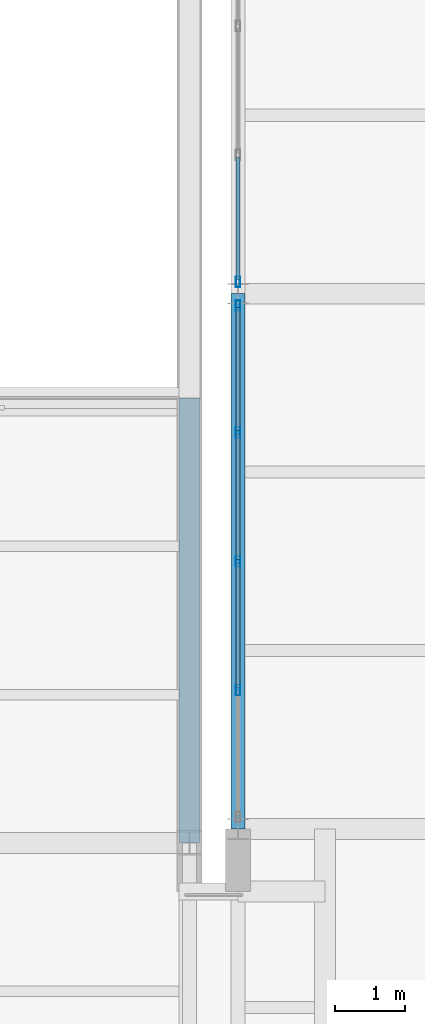
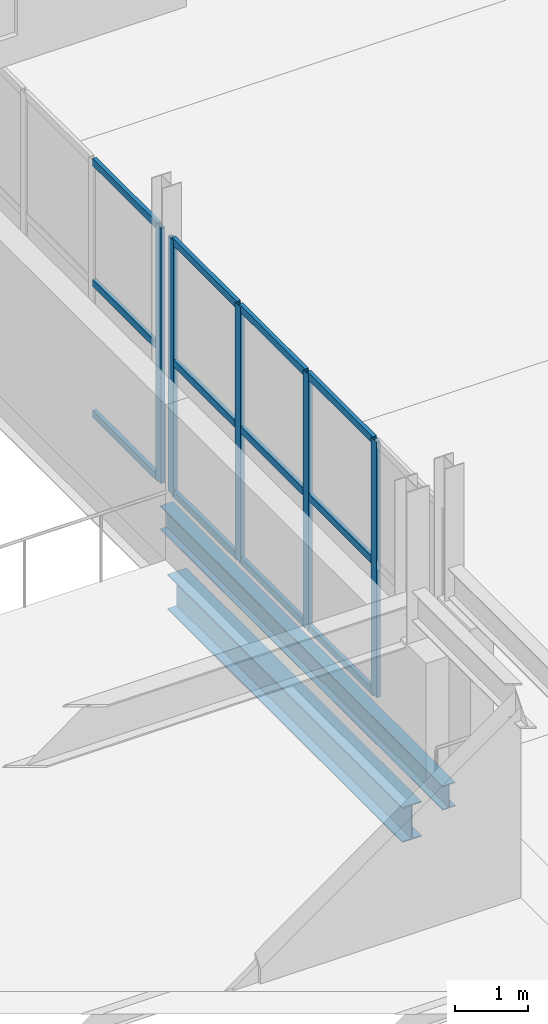
# One storey, part 114 of 218: 17 members, 2 beams, 2 elements without a shape of their own.
"""IFC4 building model written with IfcOpenShell, lengths in metres."""

from ifc_helpers import new_model, si_unit, direction, frame, origin, origin_2d, place, context, subcontext, project, spatial, hollow_rectangle, i_section, extrude, material, material_profile, profile_set, type_object, element, aggregate, save


model = new_model("IFC4")

# Units and contexts
model_context = context("Model", 3, precision=1e-05, world=origin(), true_north=direction((0.0, 1.0)))
body_context = subcontext(model_context, "Body", "Model", "MODEL_VIEW")
ifc_project = project(units=[si_unit("LENGTHUNIT", "METRE"), si_unit("AREAUNIT", "SQUARE_METRE"), si_unit("VOLUMEUNIT", "CUBIC_METRE"), si_unit("PLANEANGLEUNIT", "RADIAN"), si_unit("MASSUNIT", "GRAM", prefix="KILO")], contexts=[model_context])

# Site, building, storey
site_placement = place(None, origin())
site = spatial("IfcSite", under=ifc_project, at=site_placement, CompositionType="ELEMENT")
building_placement = place(site_placement, origin())
building = spatial("IfcBuilding", under=site, at=building_placement, Name="Kazenagashi Tramway Depot", CompositionType="ELEMENT")
storey_placement = place(building_placement, frame((0.0, 0.0, 6.0)))
storey = spatial("IfcBuildingStorey", under=building, at=storey_placement, Name="L02", CompositionType="ELEMENT", Elevation=6.0)

# Curtain wall, members
ifc_material_1 = material(Name="Anodised Aluminium and Low-E Glazing", Category="aluminium")
curtain_wall_type = type_object("IfcCurtainWallType", Name="CW-31", PredefinedType="USERDEFINED", material=ifc_material_1)
curtain_wall_1_placement = place(storey_placement, origin())
curtain_wall_1 = element("IfcCurtainWall", 1, at=curtain_wall_1_placement, inside=storey, type_object=curtain_wall_type, Name="Industrial Glazed Screen CW-31 CW-0163", ObjectType="GLAZED SCREEN", PredefinedType="USERDEFINED")
ifc_material_2 = material(Name="Anodised Aluminium", Category="aluminium")
ifc_material_profile_1 = material_profile(ifc_material_2, hollow_rectangle(XDim=0.06, YDim=0.15, WallThickness=0.004, at=origin_2d()), Name="RHS-150x60x4")
ifc_profile_set_1 = profile_set([ifc_material_profile_1], Name="Anodised Aluminium")
member_type_1 = type_object("IfcMemberType", Name="ML-01", PredefinedType="MULLION", material=ifc_profile_set_1)
member_1_placement = place(storey_placement, frame((146.3, 25.095, 0.0), z_axis=(0.0, 0.0, 1.0), x_axis=(-1.0, 0.0, 0.0)))
member_1 = element("IfcMember", 2, at=member_1_placement, type_object=member_type_1, Name="CW-31 mullion 2", PredefinedType="MULLION", context=body_context, shape_type="SweptSolid", body=[
    extrude(hollow_rectangle(XDim=0.06, YDim=0.15, WallThickness=0.004, at=origin_2d()), origin(), (0.0, 0.0, 1.0), 4.25),
])
member_2_placement = place(storey_placement, frame((146.3, 26.95, 0.0), z_axis=(0.0, 0.0, 1.0), x_axis=(-1.0, 0.0, 0.0)))
member_2 = element("IfcMember", 3, at=member_2_placement, type_object=member_type_1, Name="CW-31 mullion 3", PredefinedType="MULLION", context=body_context, shape_type="SweptSolid", body=[
    extrude(hollow_rectangle(XDim=0.06, YDim=0.15, WallThickness=0.004, at=origin_2d()), origin(), (0.0, 0.0, 1.0), 4.25),
])
member_3_placement = place(storey_placement, frame((146.3, 28.805, 0.0), z_axis=(0.0, 0.0, 1.0), x_axis=(-1.0, 0.0, 0.0)))
member_3 = element("IfcMember", 4, at=member_3_placement, type_object=member_type_1, Name="CW-31 mullion 4", PredefinedType="MULLION", context=body_context, shape_type="SweptSolid", body=[
    extrude(hollow_rectangle(XDim=0.06, YDim=0.15, WallThickness=0.004, at=origin_2d()), origin(), (0.0, 0.0, 1.0), 4.25),
])
member_4_placement = place(storey_placement, frame((146.3, 30.63, 0.0), z_axis=(0.0, 0.0, 1.0), x_axis=(-1.0, 0.0, 0.0)))
member_4 = element("IfcMember", 5, at=member_4_placement, type_object=member_type_1, Name="CW-31 mullion 5", PredefinedType="MULLION", context=body_context, shape_type="SweptSolid", body=[
    extrude(hollow_rectangle(XDim=0.06, YDim=0.15, WallThickness=0.004, at=origin_2d()), origin(), (0.0, 0.0, 1.0), 4.25),
])

# Curtain wall, member
curtain_wall_2_placement = place(storey_placement, origin())
curtain_wall_2 = element("IfcCurtainWall", 6, at=curtain_wall_2_placement, inside=storey, type_object=curtain_wall_type, Name="Industrial Glazed Screen CW-31 CW-0165", ObjectType="GLAZED SCREEN", PredefinedType="USERDEFINED")
member_5_placement = place(storey_placement, frame((146.3, 30.97, 0.0), z_axis=(0.0, 0.0, 1.0), x_axis=(-1.0, 0.0, 0.0)))
member_5 = element("IfcMember", 7, at=member_5_placement, type_object=member_type_1, Name="CW-31 mullion 1", PredefinedType="MULLION", context=body_context, shape_type="SweptSolid", body=[
    extrude(hollow_rectangle(XDim=0.06, YDim=0.15, WallThickness=0.004, at=origin_2d()), origin(), (0.0, 0.0, 1.0), 4.25),
])

# Beams
ifc_material_3 = material(Name="Steel SN490B", Category="steel")
ifc_material_profile_2 = material_profile(ifc_material_3, i_section(OverallWidth=0.3, OverallDepth=0.588, WebThickness=0.012, FlangeThickness=0.02, at=origin_2d()), Name="H-588x300x12x20")
ifc_profile_set_2 = profile_set([ifc_material_profile_2], Name="Steel SN490B")
beam_type_1 = type_object("IfcBeamType", Name="SP-01", PredefinedType="SPANDREL", material=ifc_profile_set_2)
beam_1_placement = place(storey_placement, frame((145.6, 22.9, -0.544), z_axis=(0.0, 1.0, 0.0), x_axis=(-1.0, 0.0, 0.0)))
element("IfcBeam", 8, at=beam_1_placement, inside=storey, type_object=beam_type_1, Name="Beam SP-01 BM-1101", PredefinedType="SPANDREL", context=body_context, shape_type="SweptSolid", body=[
    extrude(i_section(OverallWidth=0.3, OverallDepth=0.588, WebThickness=0.012, FlangeThickness=0.02, at=origin_2d()), origin(), (0.0, 0.0, 1.0), 6.4),
])
ifc_material_profile_3 = material_profile(ifc_material_3, i_section(OverallWidth=0.2, OverallDepth=0.4, WebThickness=0.008, FlangeThickness=0.013, at=origin_2d()), Name="H-400x200x8x13")
ifc_profile_set_3 = profile_set([ifc_material_profile_3], Name="Steel SN490B")
beam_type_2 = type_object("IfcBeamType", Name="SP-04", PredefinedType="SPANDREL", material=ifc_profile_set_3)
beam_2_placement = place(storey_placement, frame((146.3, 23.1, -0.48), z_axis=(0.0, 1.0, 0.0), x_axis=(-1.0, 0.0, 0.0)))
element("IfcBeam", 9, at=beam_2_placement, inside=storey, type_object=beam_type_2, Name="Beam SP-04 BM-1238", PredefinedType="SPANDREL", context=body_context, shape_type="SweptSolid", body=[
    extrude(i_section(OverallWidth=0.2, OverallDepth=0.4, WebThickness=0.008, FlangeThickness=0.013, at=origin_2d()), origin(), (0.0, 0.0, 1.0), 7.7),
])

# Member
ifc_material_profile_4 = material_profile(ifc_material_2, hollow_rectangle(XDim=0.06, YDim=0.12, WallThickness=0.004, at=origin_2d()), Name="RHS-120x60x4")
ifc_profile_set_4 = profile_set([ifc_material_profile_4], Name="Anodised Aluminium")
member_type_2 = type_object("IfcMemberType", Name="TR-01", PredefinedType="USERDEFINED", material=ifc_profile_set_4)
member_6_placement = place(storey_placement, frame((146.3, 25.125, 0.03), z_axis=(0.0, 1.0, 0.0), x_axis=(-1.0, 0.0, 0.0)))
member_6 = element("IfcMember", 10, at=member_6_placement, type_object=member_type_2, Name="CW-31 transom 2.1", ObjectType="TRANSOM", PredefinedType="USERDEFINED", context=body_context, shape_type="SweptSolid", body=[
    extrude(hollow_rectangle(XDim=0.06, YDim=0.12, WallThickness=0.004, at=origin_2d()), origin(), (0.0, 0.0, 1.0), 1.795),
])

member_7_placement = place(storey_placement, frame((146.3, 25.125, 2.21), z_axis=(0.0, 1.0, 0.0), x_axis=(-1.0, 0.0, 0.0)))
member_7 = element("IfcMember", 11, at=member_7_placement, type_object=member_type_2, Name="CW-31 transom 2.2", ObjectType="TRANSOM", PredefinedType="USERDEFINED", context=body_context, shape_type="SweptSolid", body=[
    extrude(hollow_rectangle(XDim=0.06, YDim=0.12, WallThickness=0.004, at=origin_2d()), origin(), (0.0, 0.0, 1.0), 1.795),
])

member_8_placement = place(storey_placement, frame((146.3, 25.125, 4.22), z_axis=(0.0, 1.0, 0.0), x_axis=(-1.0, 0.0, 0.0)))
member_8 = element("IfcMember", 12, at=member_8_placement, type_object=member_type_2, Name="CW-31 transom 2.3", ObjectType="TRANSOM", PredefinedType="USERDEFINED", context=body_context, shape_type="SweptSolid", body=[
    extrude(hollow_rectangle(XDim=0.06, YDim=0.12, WallThickness=0.004, at=origin_2d()), origin(), (0.0, 0.0, 1.0), 1.795),
])

member_9_placement = place(storey_placement, frame((146.3, 26.98, 0.03), z_axis=(0.0, 1.0, 0.0), x_axis=(-1.0, 0.0, 0.0)))
member_9 = element("IfcMember", 13, at=member_9_placement, type_object=member_type_2, Name="CW-31 transom 3.1", ObjectType="TRANSOM", PredefinedType="USERDEFINED", context=body_context, shape_type="SweptSolid", body=[
    extrude(hollow_rectangle(XDim=0.06, YDim=0.12, WallThickness=0.004, at=origin_2d()), origin(), (0.0, 0.0, 1.0), 1.795),
])

member_10_placement = place(storey_placement, frame((146.3, 26.98, 2.21), z_axis=(0.0, 1.0, 0.0), x_axis=(-1.0, 0.0, 0.0)))
member_10 = element("IfcMember", 14, at=member_10_placement, type_object=member_type_2, Name="CW-31 transom 3.2", ObjectType="TRANSOM", PredefinedType="USERDEFINED", context=body_context, shape_type="SweptSolid", body=[
    extrude(hollow_rectangle(XDim=0.06, YDim=0.12, WallThickness=0.004, at=origin_2d()), origin(), (0.0, 0.0, 1.0), 1.795),
])

member_11_placement = place(storey_placement, frame((146.3, 26.98, 4.22), z_axis=(0.0, 1.0, 0.0), x_axis=(-1.0, 0.0, 0.0)))
member_11 = element("IfcMember", 15, at=member_11_placement, type_object=member_type_2, Name="CW-31 transom 3.3", ObjectType="TRANSOM", PredefinedType="USERDEFINED", context=body_context, shape_type="SweptSolid", body=[
    extrude(hollow_rectangle(XDim=0.06, YDim=0.12, WallThickness=0.004, at=origin_2d()), origin(), (0.0, 0.0, 1.0), 1.795),
])

member_12_placement = place(storey_placement, frame((146.3, 28.835, 0.03), z_axis=(0.0, 1.0, 0.0), x_axis=(-1.0, 0.0, 0.0)))
member_12 = element("IfcMember", 16, at=member_12_placement, type_object=member_type_2, Name="CW-31 transom 4.1", ObjectType="TRANSOM", PredefinedType="USERDEFINED", context=body_context, shape_type="SweptSolid", body=[
    extrude(hollow_rectangle(XDim=0.06, YDim=0.12, WallThickness=0.004, at=origin_2d()), origin(), (0.0, 0.0, 1.0), 1.765),
])

member_13_placement = place(storey_placement, frame((146.3, 28.835, 2.21), z_axis=(0.0, 1.0, 0.0), x_axis=(-1.0, 0.0, 0.0)))
member_13 = element("IfcMember", 17, at=member_13_placement, type_object=member_type_2, Name="CW-31 transom 4.2", ObjectType="TRANSOM", PredefinedType="USERDEFINED", context=body_context, shape_type="SweptSolid", body=[
    extrude(hollow_rectangle(XDim=0.06, YDim=0.12, WallThickness=0.004, at=origin_2d()), origin(), (0.0, 0.0, 1.0), 1.765),
])

member_14_placement = place(storey_placement, frame((146.3, 28.835, 4.22), z_axis=(0.0, 1.0, 0.0), x_axis=(-1.0, 0.0, 0.0)))
member_14 = element("IfcMember", 18, at=member_14_placement, type_object=member_type_2, Name="CW-31 transom 4.3", ObjectType="TRANSOM", PredefinedType="USERDEFINED", context=body_context, shape_type="SweptSolid", body=[
    extrude(hollow_rectangle(XDim=0.06, YDim=0.12, WallThickness=0.004, at=origin_2d()), origin(), (0.0, 0.0, 1.0), 1.765),
])

aggregate(curtain_wall_1, [member_1, member_2, member_3, member_4, member_6, member_7, member_8, member_9, member_10, member_11, member_12, member_13, member_14])

member_15_placement = place(storey_placement, frame((146.3, 31.0, 0.03), z_axis=(0.0, 1.0, 0.0), x_axis=(-1.0, 0.0, 0.0)))
member_15 = element("IfcMember", 19, at=member_15_placement, type_object=member_type_2, Name="CW-31 transom 1.1", ObjectType="TRANSOM", PredefinedType="USERDEFINED", context=body_context, shape_type="SweptSolid", body=[
    extrude(hollow_rectangle(XDim=0.06, YDim=0.12, WallThickness=0.004, at=origin_2d()), origin(), (0.0, 0.0, 1.0), 1.765),
])

member_16_placement = place(storey_placement, frame((146.3, 31.0, 2.21), z_axis=(0.0, 1.0, 0.0), x_axis=(-1.0, 0.0, 0.0)))
member_16 = element("IfcMember", 20, at=member_16_placement, type_object=member_type_2, Name="CW-31 transom 1.2", ObjectType="TRANSOM", PredefinedType="USERDEFINED", context=body_context, shape_type="SweptSolid", body=[
    extrude(hollow_rectangle(XDim=0.06, YDim=0.12, WallThickness=0.004, at=origin_2d()), origin(), (0.0, 0.0, 1.0), 1.765),
])

member_17_placement = place(storey_placement, frame((146.3, 31.0, 4.22), z_axis=(0.0, 1.0, 0.0), x_axis=(-1.0, 0.0, 0.0)))
member_17 = element("IfcMember", 21, at=member_17_placement, type_object=member_type_2, Name="CW-31 transom 1.3", ObjectType="TRANSOM", PredefinedType="USERDEFINED", context=body_context, shape_type="SweptSolid", body=[
    extrude(hollow_rectangle(XDim=0.06, YDim=0.12, WallThickness=0.004, at=origin_2d()), origin(), (0.0, 0.0, 1.0), 1.765),
])

aggregate(curtain_wall_2, [member_5, member_15, member_16, member_17])

save(model, "model.ifc")
